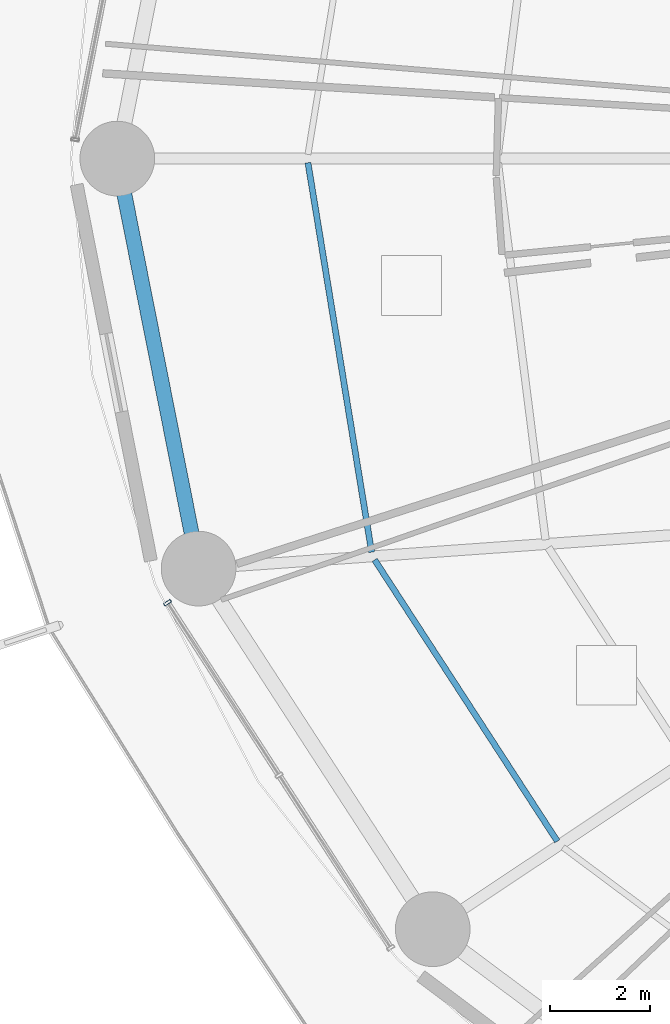
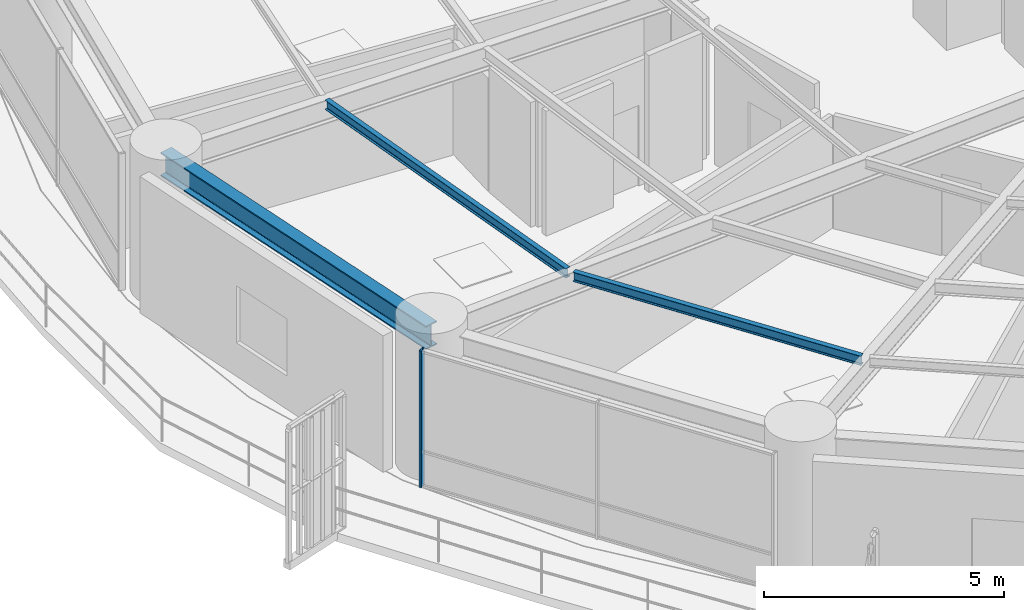
# One storey, part 4 of 32: 3 beams, 1 member, 1 element without a shape of its own.
"""IFC4 building model written with IfcOpenShell, lengths in metres."""

from ifc_helpers import new_model, si_unit, direction, frame, origin, origin_2d, place, context, subcontext, project, spatial, hollow_rectangle, i_section, extrude, material, layer, layer_set, material_profile, profile_set, type_object, element, aggregate, save


model = new_model("IFC4")

# Units and contexts
model_context = context("Model", 3, precision=1e-05, world=origin(), true_north=direction((0.0, 1.0)))
body_context = subcontext(model_context, "Body", "Model", "MODEL_VIEW")
ifc_project = project(units=[si_unit("LENGTHUNIT", "METRE"), si_unit("AREAUNIT", "SQUARE_METRE"), si_unit("VOLUMEUNIT", "CUBIC_METRE"), si_unit("PLANEANGLEUNIT", "RADIAN"), si_unit("MASSUNIT", "GRAM", prefix="KILO")], contexts=[model_context])

# Site, building, storey
site_placement = place(None, origin())
site = spatial("IfcSite", under=ifc_project, at=site_placement, CompositionType="ELEMENT")
building_placement = place(site_placement, origin())
building = spatial("IfcBuilding", under=site, at=building_placement, Name="Kelanora Arch Commons", CompositionType="ELEMENT")
storey_placement = place(building_placement, frame((0.0, 0.0, 56.25)))
storey = spatial("IfcBuildingStorey", under=building, at=storey_placement, Name="L14", CompositionType="ELEMENT", Elevation=56.25)

# Beams
ifc_material_1 = material(Name="Steel S355", Category="steel")
ifc_material_profile_1 = material_profile(ifc_material_1, i_section(OverallWidth=0.1201171875, OverallDepth=0.239990234375, WebThickness=0.006103515625, FlangeThickness=0.009765625, FilletRadius=0.014892578125, at=origin_2d()), Name="IPE240")
ifc_profile_set_1 = profile_set([ifc_material_profile_1], Name="Steel S355")
beam_type_1 = type_object("IfcBeamType", Name="BM-JST-02", PredefinedType="JOIST", material=ifc_profile_set_1)
beam_1_placement = place(storey_placement, frame((50.749755859375, 57.916015625, 3.3701171875), z_axis=(0.161400737199, -0.986888951216, 0.0), x_axis=(0.986888951216, 0.161400737199, 0.0)))
element("IfcBeam", 1, at=beam_1_placement, inside=storey, type_object=beam_type_1, Name="Secondary Chord Joist BJC-18 L14", PredefinedType="JOIST", context=body_context, shape_type="SweptSolid", body=[
    extrude(i_section(OverallWidth=0.1201171875, OverallDepth=0.239990234375, WebThickness=0.006103515625, FlangeThickness=0.009765625, FilletRadius=0.014892578125, at=origin_2d()), origin(), (0.0, 0.0, 1.0), 7.9248046875),
])
beam_2_placement = place(storey_placement, frame((52.0888671875, 49.940185546875, 3.3701171875), z_axis=(0.544550165372, -0.838728273873, 0.0), x_axis=(0.838728273873, 0.544550165372, 0.0)))
element("IfcBeam", 2, at=beam_2_placement, inside=storey, type_object=beam_type_1, Name="Secondary Chord Joist BJC-20 L14", PredefinedType="JOIST", context=body_context, shape_type="SweptSolid", body=[
    extrude(i_section(OverallWidth=0.1201171875, OverallDepth=0.239990234375, WebThickness=0.006103515625, FlangeThickness=0.009765625, FilletRadius=0.014892578125, at=origin_2d()), origin(), (0.0, 0.0, 1.0), 6.738037109375),
])
ifc_material_profile_2 = material_profile(ifc_material_1, i_section(OverallWidth=0.300048828125, OverallDepth=0.60009765625, WebThickness=0.015380859375, FlangeThickness=0.030029296875, FilletRadius=0.027099609375, at=origin_2d()), Name="HEB600")
ifc_profile_set_2 = profile_set([ifc_material_profile_2], Name="Steel S355")
beam_type_2 = type_object("IfcBeamType", Name="BM-SPN-Z1", PredefinedType="SPANDREL", material=ifc_profile_set_2)
beam_3_placement = place(storey_placement, frame((46.919921875, 58.0, 3.18994140625), z_axis=(0.194499827256, -0.980902552345, 0.0), x_axis=(0.980902552345, 0.194499827256, 0.0)))
element("IfcBeam", 3, at=beam_3_placement, inside=storey, type_object=beam_type_2, Name="Perimeter Spandrel Beam BS-18 L14", PredefinedType="SPANDREL", context=body_context, shape_type="SweptSolid", body=[
    extrude(i_section(OverallWidth=0.300048828125, OverallDepth=0.60009765625, WebThickness=0.015380859375, FlangeThickness=0.030029296875, FilletRadius=0.027099609375, at=origin_2d()), origin(), (0.0, 0.0, 1.0), 8.396240234375),
])

# Curtain wall, member
ifc_material_2 = material(Name="Terracotta ceramic-fritted low-E glass and aluminium", Category="masonry")
ifc_layer = layer(ifc_material_2, 0.159912109375)
ifc_layer_set = layer_set([ifc_layer], Name="Terracotta ceramic-fritted low-E glass and aluminium")
curtain_wall_type = type_object("IfcCurtainWallType", Name="CW-SYS-01", PredefinedType="NOTDEFINED", material=ifc_layer_set)
curtain_wall_placement = place(storey_placement, origin())
curtain_wall = element("IfcCurtainWall", 4, at=curtain_wall_placement, inside=storey, type_object=curtain_wall_type, Name="Unitised Curtain Wall L14-B10", PredefinedType="NOTDEFINED")
ifc_material_3 = material(Name="Powder-coated aluminium terracotta", Category="masonry")
ifc_material_profile_3 = material_profile(ifc_material_3, hollow_rectangle(XDim=0.159912109375, YDim=0.06005859375, WallThickness=0.0048828125, InnerFilletRadius=0.0048828125, OuterFilletRadius=0.010009765625, at=origin_2d()), Name="CWM160x60")
ifc_profile_set_3 = profile_set([ifc_material_profile_3], Name="Powder-coated aluminium terracotta")
member_type = type_object("IfcMemberType", Name="CWM-STD", PredefinedType="MULLION", material=ifc_profile_set_3)
member_placement = place(storey_placement, frame((47.927734375, 49.07958984375, 0.0), z_axis=(0.0, 0.0, 1.0), x_axis=(0.83972982332, 0.543004441812, 0.0)))
member = element("IfcMember", 5, at=member_placement, type_object=member_type, Name="CW-01 mullion 1", PredefinedType="MULLION", context=body_context, shape_type="SweptSolid", body=[
    extrude(hollow_rectangle(XDim=0.159912109375, YDim=0.06005859375, WallThickness=0.0048828125, InnerFilletRadius=0.0048828125, OuterFilletRadius=0.010009765625, at=origin_2d()), origin(), (0.0, 0.0, 1.0), 3.47509765625),
])
aggregate(curtain_wall, [member])

save(model, "model.ifc")
